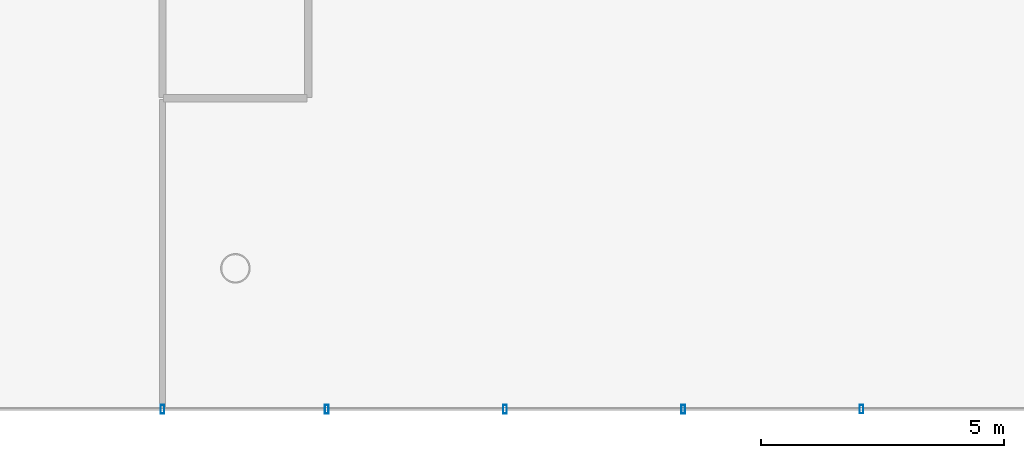
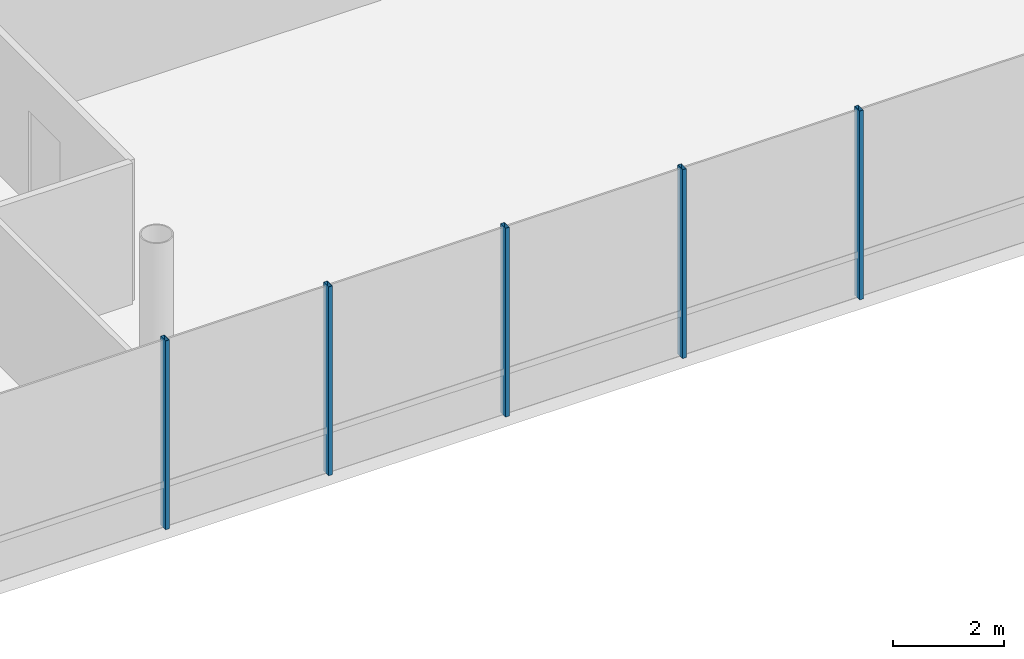
# One storey, part 6 of 37: 5 members, 1 element without a shape of its own.
"""IFC4 building model written with IfcOpenShell, lengths in metres."""

from ifc_helpers import new_model, si_unit, direction, frame, origin, origin_2d, place, context, subcontext, project, spatial, hollow_rectangle, extrude, material, layer, layer_set, material_profile, profile_set, type_object, element, aggregate, save


model = new_model("IFC4")

# Units and contexts
model_context = context("Model", 3, precision=1e-05, world=origin(), true_north=direction((0.0, 1.0)))
body_context = subcontext(model_context, "Body", "Model", "MODEL_VIEW")
ifc_project = project(units=[si_unit("LENGTHUNIT", "METRE"), si_unit("AREAUNIT", "SQUARE_METRE"), si_unit("VOLUMEUNIT", "CUBIC_METRE"), si_unit("PLANEANGLEUNIT", "RADIAN"), si_unit("MASSUNIT", "GRAM", prefix="KILO")], contexts=[model_context])

# Site, building, storey
site_placement = place(None, origin())
site = spatial("IfcSite", under=ifc_project, at=site_placement, CompositionType="ELEMENT")
building_placement = place(site_placement, origin())
building = spatial("IfcBuilding", under=site, at=building_placement, Name="Zarrinselat Tower", CompositionType="ELEMENT")
storey_placement = place(building_placement, frame((0.0, 0.0, 13.93994140625)))
storey = spatial("IfcBuildingStorey", under=building, at=storey_placement, Name="L03", CompositionType="ELEMENT", Elevation=13.93994140625)

# Curtain wall, members
ifc_material_1 = material(Name="Extruded Aluminium Alloy EN AW-6063 T6", Category="aluminium")
ifc_layer = layer(ifc_material_1, 0.2099609375)
ifc_layer_set = layer_set([ifc_layer], Name="Extruded Aluminium Alloy EN AW-6063 T6")
curtain_wall_type = type_object("IfcCurtainWallType", Name="CWS-POD", PredefinedType="NOTDEFINED", material=ifc_layer_set)
curtain_wall_placement = place(storey_placement, origin())
curtain_wall = element("IfcCurtainWall", 1, at=curtain_wall_placement, inside=storey, type_object=curtain_wall_type, Name="L03 Unitised Curtain Wall CW-L03-F1", PredefinedType="NOTDEFINED")
ifc_material_2 = material(Name="Extruded Aluminium Alloy EN AW-6063 T6", Category="aluminium")
ifc_material_profile = material_profile(ifc_material_2, hollow_rectangle(XDim=0.080078125, YDim=0.179931640625, WallThickness=0.0048828125, at=origin_2d()), Name="RHS 180x80x5")
ifc_profile_set = profile_set([ifc_material_profile], Name="Extruded Aluminium Alloy EN AW-6063 T6")
member_type = type_object("IfcMemberType", Name="MEM-CW-MUL", PredefinedType="MULLION", material=ifc_profile_set)
member_1_placement = place(storey_placement, frame((18.5, 5.60009765625, 0.0), z_axis=(0.0, 0.0, 1.0), x_axis=(1.0, 0.0, 0.0)))
member_1 = element("IfcMember", 2, at=member_1_placement, type_object=member_type, Name="CW-L03-F1 Mullion 3", PredefinedType="MULLION", context=body_context, shape_type="SweptSolid", body=[
    extrude(hollow_rectangle(XDim=0.080078125, YDim=0.179931640625, WallThickness=0.0048828125, at=origin_2d()), origin(), (0.0, 0.0, 1.0), 4.14013671875),
])
member_2_placement = place(storey_placement, frame((21.88232421875, 5.60009765625, 0.0), z_axis=(0.0, 0.0, 1.0), x_axis=(1.0, 0.0, 0.0)))
member_2 = element("IfcMember", 3, at=member_2_placement, type_object=member_type, Name="CW-L03-F1 Mullion 4", PredefinedType="MULLION", context=body_context, shape_type="SweptSolid", body=[
    extrude(hollow_rectangle(XDim=0.080078125, YDim=0.179931640625, WallThickness=0.0048828125, at=origin_2d()), origin(), (0.0, 0.0, 1.0), 4.14013671875),
])
member_3_placement = place(storey_placement, frame((25.552978515625, 5.60009765625, 0.0), z_axis=(0.0, 0.0, 1.0), x_axis=(1.0, 0.0, 0.0)))
member_3 = element("IfcMember", 4, at=member_3_placement, type_object=member_type, Name="CW-L03-F1 Mullion 5", PredefinedType="MULLION", context=body_context, shape_type="SweptSolid", body=[
    extrude(hollow_rectangle(XDim=0.080078125, YDim=0.179931640625, WallThickness=0.0048828125, at=origin_2d()), origin(), (0.0, 0.0, 1.0), 4.14013671875),
])
member_4_placement = place(storey_placement, frame((29.223388671875, 5.60009765625, 0.0), z_axis=(0.0, 0.0, 1.0), x_axis=(1.0, 0.0, 0.0)))
member_4 = element("IfcMember", 5, at=member_4_placement, type_object=member_type, Name="CW-L03-F1 Mullion 6", PredefinedType="MULLION", context=body_context, shape_type="SweptSolid", body=[
    extrude(hollow_rectangle(XDim=0.080078125, YDim=0.179931640625, WallThickness=0.0048828125, at=origin_2d()), origin(), (0.0, 0.0, 1.0), 4.14013671875),
])
member_5_placement = place(storey_placement, frame((32.89404296875, 5.60009765625, 0.0), z_axis=(0.0, 0.0, 1.0), x_axis=(1.0, 0.0, 0.0)))
member_5 = element("IfcMember", 6, at=member_5_placement, type_object=member_type, Name="CW-L03-F1 Mullion 7", PredefinedType="MULLION", context=body_context, shape_type="SweptSolid", body=[
    extrude(hollow_rectangle(XDim=0.080078125, YDim=0.179931640625, WallThickness=0.0048828125, at=origin_2d()), origin(), (0.0, 0.0, 1.0), 4.14013671875),
])
aggregate(curtain_wall, [member_1, member_2, member_3, member_4, member_5])

save(model, "model.ifc")
